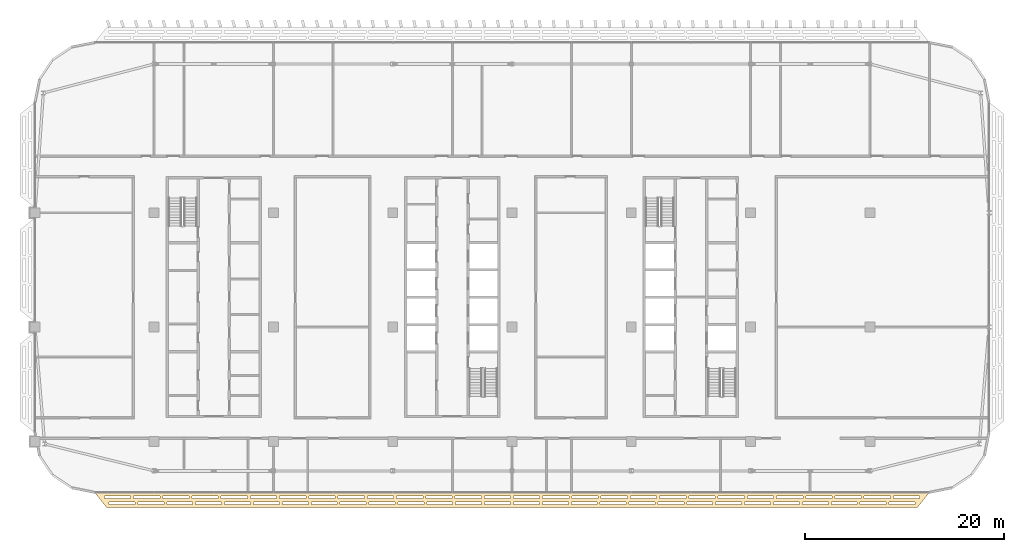
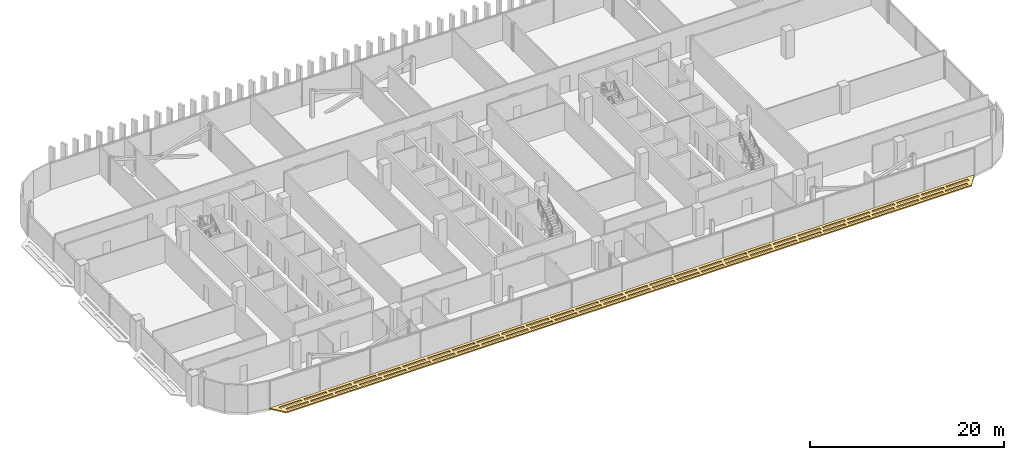
# One storey, part 28 of 32: 1 covering.
"""IFC4 building model written with IfcOpenShell, lengths in metres."""

import ifcopenshell
import ifcopenshell.guid

model = None  # the IFC model being written
_history = None  # IfcOwnerHistory: only IFC2X3 demands one
_inside = {}  # id of a spatial element -> (the spatial element, [elements in it])
_under = {}  # id of a project, library or spatial element -> (it, [spatial elements below it])
_declared = {}  # id of a project -> (the project, [libraries it declares])
_typed = {}  # id of a type object -> (the type object, [elements of that type])
_made_of = {}  # id of a material, layer set ... -> (it, [elements and type objects made of it])


def new_model(schema):
    """Start an empty IFC model of exactly this schema.

    Asked for "IFC4X3", IfcOpenShell would pick the latest addendum, in which some entities
    have other attributes; the version numbers below select the first issue.
    IFC2X3 requires an IfcOwnerHistory on every rooted entity: one is made here for all.
    """
    global model, _history
    if schema == "IFC4X3":
        model = ifcopenshell.file(schema_version=(4, 3, 0, 0))
    else:
        model = ifcopenshell.file(schema=schema)
    _inside.clear()
    _under.clear()
    _declared.clear()
    _typed.clear()
    _made_of.clear()
    _history = None
    if model.schema == "IFC2X3":
        org = make("IfcOrganization", Name="unknown")
        user = make(
            "IfcPersonAndOrganization",
            ThePerson=make("IfcPerson", FamilyName="unknown"),
            TheOrganization=org,
        )
        app = make(
            "IfcApplication",
            ApplicationDeveloper=org,
            Version="unknown",
            ApplicationFullName="unknown",
            ApplicationIdentifier="unknown",
        )
        _history = make(
            "IfcOwnerHistory",
            OwningUser=user,
            OwningApplication=app,
            ChangeAction="ADDED",
            CreationDate=0,
        )
    return model


def make(cls, **values):
    """One entity of the class cls with the attributes given. An attribute that is None is left unset."""
    return model.create_entity(
        cls, **{name: value for name, value in values.items() if value is not None}
    )


def rooted(cls, **values):
    """An entity with a GlobalId (a new one), such as an element, a storey or a relation."""
    return make(cls, GlobalId=ifcopenshell.guid.new(), OwnerHistory=_history, **values)


def si_unit(unit_type, name, prefix=None):
    """IfcSIUnit, for example si_unit("LENGTHUNIT", "METRE", prefix="MILLI")."""
    return make("IfcSIUnit", UnitType=unit_type, Prefix=prefix, Name=name)


def assignment(units):
    """IfcUnitAssignment: the units of a project."""
    return None if units is None else make("IfcUnitAssignment", Units=units)


def point(xyz):
    """IfcCartesianPoint."""
    return None if xyz is None else make("IfcCartesianPoint", Coordinates=xyz)


def direction(xyz):
    """IfcDirection."""
    return None if xyz is None else make("IfcDirection", DirectionRatios=xyz)


def frame(location, z_axis=None, x_axis=None):
    """IfcAxis2Placement3D, a coordinate frame: its origin and axes. An axis left out is left unset."""
    return make(
        "IfcAxis2Placement3D",
        Location=point(location),
        Axis=direction(z_axis),
        RefDirection=direction(x_axis),
    )


def origin():
    """The frame at (0, 0, 0) with its axes left unset."""
    return frame((0.0, 0.0, 0.0))


def place(relative_to, where):
    """IfcLocalPlacement: puts the frame where relative to a parent placement (None: the world)."""
    return make(
        "IfcLocalPlacement", PlacementRelTo=relative_to, RelativePlacement=where
    )


def context(
    kind, dimensions, precision=None, world=None, true_north=None, identifier=None
):
    """IfcGeometricRepresentationContext, for example the 3D "Model" context."""
    return make(
        "IfcGeometricRepresentationContext",
        ContextIdentifier=identifier,
        ContextType=kind,
        CoordinateSpaceDimension=dimensions,
        Precision=precision,
        WorldCoordinateSystem=world,
        TrueNorth=true_north,
    )


def subcontext(parent, identifier, kind, view, scale=None):
    """IfcGeometricRepresentationSubContext, for example "Body" below "Model"."""
    return make(
        "IfcGeometricRepresentationSubContext",
        ContextIdentifier=identifier,
        ContextType=kind,
        ParentContext=parent,
        TargetScale=scale,
        TargetView=view,
    )


def project(units=None, contexts=None):
    """IfcProject with its units and contexts."""
    return rooted(
        "IfcProject",
        Name="project",
        RepresentationContexts=contexts,
        UnitsInContext=assignment(units),
    )


def spatial(cls, under=None, at=None, **own):
    """A site, building, storey or space (cls), placed at a placement, below another one or the project."""
    s = rooted(cls, ObjectPlacement=at, **own)
    if under is not None:
        _under.setdefault(under.id(), (under, []))[1].append(s)
    return s


def polyline(points):
    """IfcPolyline through the points."""
    return make("IfcPolyline", Points=[point(p) for p in points])


def outline(outer, holes=None, kind="AREA"):
    """IfcArbitraryClosedProfileDef: a profile drawn as a closed curve; with holes, ...WithVoids."""
    if holes is None:
        return make("IfcArbitraryClosedProfileDef", ProfileType=kind, OuterCurve=outer)
    return make(
        "IfcArbitraryProfileDefWithVoids",
        ProfileType=kind,
        OuterCurve=outer,
        InnerCurves=holes,
    )


def extrude(swept, where, along, depth):
    """IfcExtrudedAreaSolid: the profile swept, set in the frame where, extruded along a direction by depth."""
    return make(
        "IfcExtrudedAreaSolid",
        SweptArea=swept,
        Position=where,
        ExtrudedDirection=direction(along),
        Depth=depth,
    )


def shape(context_of_items, identifier, shape_type, items):
    """IfcShapeRepresentation: the items that make up one representation, for example the "Body"."""
    return make(
        "IfcShapeRepresentation",
        ContextOfItems=context_of_items,
        RepresentationIdentifier=identifier,
        RepresentationType=shape_type,
        Items=items,
    )


def material(Name=None, Category=None):
    """IfcMaterial."""
    return make("IfcMaterial", Name=Name, Category=Category)


def layer(
    of_material, thickness, ventilated=None, Name=None, Category=None, Priority=None
):
    """IfcMaterialLayer: one layer of a wall or slab, of a material (None: an air gap)."""
    return make(
        "IfcMaterialLayer",
        Material=of_material,
        LayerThickness=thickness,
        IsVentilated=ventilated,
        Name=Name,
        Category=Category,
        Priority=Priority,
    )


def layer_set(layers, Name=None):
    """IfcMaterialLayerSet."""
    return make("IfcMaterialLayerSet", MaterialLayers=layers, LayerSetName=Name)


def made_of(thing, what):
    """Note that an element or type object is made of a material, layer set ...; save() writes the relation."""
    if what is not None:
        _made_of.setdefault(what.id(), (what, []))[1].append(thing)
    return thing


def type_object(cls, material=None, **own):
    """A type object (cls), such as IfcWallType, which elements share."""
    return made_of(rooted(cls, **own), material)


def element(
    cls,
    number,
    at=None,
    inside=None,
    cuts=None,
    type_object=None,
    material=None,
    context=None,
    identifier="Body",
    shape_type=None,
    held_by="IfcProductDefinitionShape",
    body=None,
    shapes=None,
    **own,
):
    """One element of the class cls, such as IfcWall. Its Tag is "e" and its number.

    at: its placement. inside: the storey or other place that contains it. cuts: it is an
    opening in that element (IfcRelVoidsElement). A single representation is given by context,
    identifier, shape_type and body (its items); several are given by shapes. held_by: the class
    of the entity that holds the representations. save() writes the other relations.
    """
    e = rooted(cls, Tag="e%d" % number, ObjectPlacement=at, **own)
    if body is not None:
        shapes = [shape(context, identifier, shape_type, body)]
    if shapes is not None:
        e.Representation = make(held_by, Representations=shapes)
    if inside is not None:
        _inside.setdefault(inside.id(), (inside, []))[1].append(e)
    if cuts is not None:
        rooted(
            "IfcRelVoidsElement", RelatingBuildingElement=cuts, RelatedOpeningElement=e
        )
    if type_object is not None:
        _typed.setdefault(type_object.id(), (type_object, []))[1].append(e)
    return made_of(e, material)


def aggregate(whole, parts):
    """IfcRelAggregates: a whole, such as a stair, and the parts it consists of."""
    return rooted("IfcRelAggregates", RelatingObject=whole, RelatedObjects=parts)


def save(model, path):
    """Write the relations noted so far, then the file.

    IfcRelAggregates (storeys below a building ...), IfcRelContainedInSpatialStructure (elements
    in a storey), IfcRelDefinesByType, IfcRelAssociatesMaterial and IfcRelDeclares: one each for
    every whole, place, type object, material and project.
    """
    for whole, parts in _under.values():
        aggregate(whole, parts)
    for where, things in _inside.values():
        rooted(
            "IfcRelContainedInSpatialStructure",
            RelatedElements=things,
            RelatingStructure=where,
        )
    for kind, things in _typed.values():
        rooted("IfcRelDefinesByType", RelatedObjects=things, RelatingType=kind)
    for what, things in _made_of.values():
        rooted("IfcRelAssociatesMaterial", RelatedObjects=things, RelatingMaterial=what)
    for by, libraries in _declared.values():
        rooted("IfcRelDeclares", RelatingContext=by, RelatedDefinitions=libraries)
    model.write(path)


model = new_model("IFC4")

# Units and contexts
model_context = context("Model", 3, precision=1e-05, world=origin(), true_north=direction((0.0, 1.0)))
body_context = subcontext(model_context, "Body", "Model", "MODEL_VIEW")
ifc_project = project(units=[si_unit("LENGTHUNIT", "METRE"), si_unit("AREAUNIT", "SQUARE_METRE"), si_unit("VOLUMEUNIT", "CUBIC_METRE"), si_unit("PLANEANGLEUNIT", "RADIAN"), si_unit("MASSUNIT", "GRAM", prefix="KILO")], contexts=[model_context])

# Site, building, storey
site_placement = place(None, origin())
site = spatial("IfcSite", under=ifc_project, at=site_placement, CompositionType="ELEMENT")
building_placement = place(site_placement, origin())
building = spatial("IfcBuilding", under=site, at=building_placement, Name="Mahtab Terrace Research Tower", CompositionType="ELEMENT")
storey_placement = place(building_placement, frame((0.0, 0.0, 232.39990234375)))
storey = spatial("IfcBuildingStorey", under=building, at=storey_placement, Name="L56", CompositionType="ELEMENT", Elevation=232.39990234375)

# Covering
ifc_material = material(Name="Black anodised aluminium", Category="aluminium")
ifc_layer = layer(ifc_material, 0.14990234375)
ifc_layer_set = layer_set([ifc_layer], Name="Horizontal sunshade band")
covering_type = type_object("IfcCoveringType", Name="Horizontal sunshade band", PredefinedType="CLADDING", material=ifc_layer_set)
covering_placement = place(storey_placement, frame((0.0, 0.0, -0.14990234375)))
element("IfcCovering", 1, at=covering_placement, inside=storey, type_object=covering_type, Name="Sunshade band L56 16", PredefinedType="CLADDING", context=body_context, shape_type="SweptSolid", body=[
    extrude(outline(polyline([(-36.0, -16.638916015625), (48.0, -16.638916015625), (46.800048828125, -18.138916015625), (-34.800048828125, -18.138916015625), (-36.0, -16.638916015625)]), holes=[polyline([(-35.02001953125, -16.989013671875), (-32.37890625, -16.989013671875), (-32.37890625, -17.239013671875), (-35.02001953125, -17.239013671875), (-35.02001953125, -16.989013671875)]), polyline([(-32.0791015625, -16.989013671875), (-29.43896484375, -16.989013671875), (-29.43896484375, -17.239013671875), (-32.0791015625, -17.239013671875), (-32.0791015625, -16.989013671875)]), polyline([(-29.138916015625, -16.989013671875), (-26.498046875, -16.989013671875), (-26.498046875, -17.239013671875), (-29.138916015625, -17.239013671875), (-29.138916015625, -16.989013671875)]), polyline([(-26.197998046875, -16.989013671875), (-23.556884765625, -16.989013671875), (-23.556884765625, -17.239013671875), (-26.197998046875, -17.239013671875), (-26.197998046875, -16.989013671875)]), polyline([(-23.257080078125, -16.989013671875), (-20.615966796875, -16.989013671875), (-20.615966796875, -17.239013671875), (-23.257080078125, -17.239013671875), (-23.257080078125, -16.989013671875)]), polyline([(-20.31591796875, -16.989013671875), (-17.676025390625, -16.989013671875), (-17.676025390625, -17.239013671875), (-20.31591796875, -17.239013671875), (-20.31591796875, -16.989013671875)]), polyline([(-17.3759765625, -16.989013671875), (-14.735107421875, -16.989013671875), (-14.735107421875, -17.239013671875), (-17.3759765625, -17.239013671875), (-17.3759765625, -16.989013671875)]), polyline([(-14.43505859375, -16.989013671875), (-11.7939453125, -16.989013671875), (-11.7939453125, -17.239013671875), (-14.43505859375, -17.239013671875), (-14.43505859375, -16.989013671875)]), polyline([(-11.493896484375, -16.989013671875), (-8.85400390625, -16.989013671875), (-8.85400390625, -17.239013671875), (-11.493896484375, -17.239013671875), (-11.493896484375, -16.989013671875)]), polyline([(-8.553955078125, -16.989013671875), (-5.9130859375, -16.989013671875), (-5.9130859375, -17.239013671875), (-8.553955078125, -17.239013671875), (-8.553955078125, -16.989013671875)]), polyline([(-5.613037109375, -16.989013671875), (-2.971923828125, -16.989013671875), (-2.971923828125, -17.239013671875), (-5.613037109375, -17.239013671875), (-5.613037109375, -16.989013671875)]), polyline([(-2.672119140625, -16.989013671875), (-0.031005859375, -16.989013671875), (-0.031005859375, -17.239013671875), (-2.672119140625, -17.239013671875), (-2.672119140625, -16.989013671875)]), polyline([(0.26904296875, -16.989013671875), (2.908935546875, -16.989013671875), (2.908935546875, -17.239013671875), (0.26904296875, -17.239013671875), (0.26904296875, -16.989013671875)]), polyline([(3.208984375, -16.989013671875), (5.85009765625, -16.989013671875), (5.85009765625, -17.239013671875), (3.208984375, -17.239013671875), (3.208984375, -16.989013671875)]), polyline([(6.14990234375, -16.989013671875), (8.791015625, -16.989013671875), (8.791015625, -17.239013671875), (6.14990234375, -17.239013671875), (6.14990234375, -16.989013671875)]), polyline([(9.091064453125, -16.989013671875), (11.73095703125, -16.989013671875), (11.73095703125, -17.239013671875), (9.091064453125, -17.239013671875), (9.091064453125, -16.989013671875)]), polyline([(12.031005859375, -16.989013671875), (14.672119140625, -16.989013671875), (14.672119140625, -17.239013671875), (12.031005859375, -17.239013671875), (12.031005859375, -16.989013671875)]), polyline([(14.971923828125, -16.989013671875), (17.613037109375, -16.989013671875), (17.613037109375, -17.239013671875), (14.971923828125, -17.239013671875), (14.971923828125, -16.989013671875)]), polyline([(17.9130859375, -16.989013671875), (20.553955078125, -16.989013671875), (20.553955078125, -17.239013671875), (17.9130859375, -17.239013671875), (17.9130859375, -16.989013671875)]), polyline([(20.85400390625, -16.989013671875), (23.493896484375, -16.989013671875), (23.493896484375, -17.239013671875), (20.85400390625, -17.239013671875), (20.85400390625, -16.989013671875)]), polyline([(23.7939453125, -16.989013671875), (26.43505859375, -16.989013671875), (26.43505859375, -17.239013671875), (23.7939453125, -17.239013671875), (23.7939453125, -16.989013671875)]), polyline([(26.735107421875, -16.989013671875), (29.3759765625, -16.989013671875), (29.3759765625, -17.239013671875), (26.735107421875, -17.239013671875), (26.735107421875, -16.989013671875)]), polyline([(29.676025390625, -16.989013671875), (32.31591796875, -16.989013671875), (32.31591796875, -17.239013671875), (29.676025390625, -17.239013671875), (29.676025390625, -16.989013671875)]), polyline([(32.615966796875, -16.989013671875), (35.257080078125, -16.989013671875), (35.257080078125, -17.239013671875), (32.615966796875, -17.239013671875), (32.615966796875, -16.989013671875)]), polyline([(35.556884765625, -16.989013671875), (38.197998046875, -16.989013671875), (38.197998046875, -17.239013671875), (35.556884765625, -17.239013671875), (35.556884765625, -16.989013671875)]), polyline([(38.498046875, -16.989013671875), (41.138916015625, -16.989013671875), (41.138916015625, -17.239013671875), (38.498046875, -17.239013671875), (38.498046875, -16.989013671875)]), polyline([(41.43896484375, -16.989013671875), (44.0791015625, -16.989013671875), (44.0791015625, -17.239013671875), (41.43896484375, -17.239013671875), (41.43896484375, -16.989013671875)]), polyline([(44.37890625, -16.989013671875), (47.02001953125, -16.989013671875), (47.02001953125, -17.239013671875), (44.37890625, -17.239013671875), (44.37890625, -16.989013671875)]), polyline([(-34.5400390625, -17.589111328125), (-31.93408203125, -17.589111328125), (-31.93408203125, -17.839111328125), (-34.5400390625, -17.839111328125), (-34.5400390625, -17.589111328125)]), polyline([(-31.634033203125, -17.589111328125), (-29.027099609375, -17.589111328125), (-29.027099609375, -17.839111328125), (-31.634033203125, -17.839111328125), (-31.634033203125, -17.589111328125)]), polyline([(-28.72705078125, -17.589111328125), (-26.12109375, -17.589111328125), (-26.12109375, -17.839111328125), (-28.72705078125, -17.839111328125), (-28.72705078125, -17.589111328125)]), polyline([(-25.821044921875, -17.589111328125), (-23.214111328125, -17.589111328125), (-23.214111328125, -17.839111328125), (-25.821044921875, -17.839111328125), (-25.821044921875, -17.589111328125)]), polyline([(-22.9140625, -17.589111328125), (-20.30810546875, -17.589111328125), (-20.30810546875, -17.839111328125), (-22.9140625, -17.839111328125), (-22.9140625, -17.589111328125)]), polyline([(-20.008056640625, -17.589111328125), (-17.40087890625, -17.589111328125), (-17.40087890625, -17.839111328125), (-20.008056640625, -17.839111328125), (-20.008056640625, -17.589111328125)]), polyline([(-17.10107421875, -17.589111328125), (-14.4951171875, -17.589111328125), (-14.4951171875, -17.839111328125), (-17.10107421875, -17.839111328125), (-17.10107421875, -17.589111328125)]), polyline([(-14.195068359375, -17.589111328125), (-11.589111328125, -17.589111328125), (-11.589111328125, -17.839111328125), (-14.195068359375, -17.839111328125), (-14.195068359375, -17.589111328125)]), polyline([(-11.2890625, -17.589111328125), (-8.681884765625, -17.589111328125), (-8.681884765625, -17.839111328125), (-11.2890625, -17.839111328125), (-11.2890625, -17.589111328125)]), polyline([(-8.382080078125, -17.589111328125), (-5.77587890625, -17.589111328125), (-5.77587890625, -17.839111328125), (-8.382080078125, -17.839111328125), (-8.382080078125, -17.589111328125)]), polyline([(-5.47607421875, -17.589111328125), (-2.868896484375, -17.589111328125), (-2.868896484375, -17.839111328125), (-5.47607421875, -17.839111328125), (-5.47607421875, -17.589111328125)]), polyline([(-2.569091796875, -17.589111328125), (0.037109375, -17.589111328125), (0.037109375, -17.839111328125), (-2.569091796875, -17.839111328125), (-2.569091796875, -17.589111328125)]), polyline([(0.3369140625, -17.589111328125), (2.944091796875, -17.589111328125), (2.944091796875, -17.839111328125), (0.3369140625, -17.839111328125), (0.3369140625, -17.589111328125)]), polyline([(3.243896484375, -17.589111328125), (5.85009765625, -17.589111328125), (5.85009765625, -17.839111328125), (3.243896484375, -17.839111328125), (3.243896484375, -17.589111328125)]), polyline([(6.14990234375, -17.589111328125), (8.756103515625, -17.589111328125), (8.756103515625, -17.839111328125), (6.14990234375, -17.839111328125), (6.14990234375, -17.589111328125)]), polyline([(9.055908203125, -17.589111328125), (11.6630859375, -17.589111328125), (11.6630859375, -17.839111328125), (9.055908203125, -17.839111328125), (9.055908203125, -17.589111328125)]), polyline([(11.962890625, -17.589111328125), (14.569091796875, -17.589111328125), (14.569091796875, -17.839111328125), (11.962890625, -17.839111328125), (11.962890625, -17.589111328125)]), polyline([(14.868896484375, -17.589111328125), (17.47607421875, -17.589111328125), (17.47607421875, -17.839111328125), (14.868896484375, -17.839111328125), (14.868896484375, -17.589111328125)]), polyline([(17.77587890625, -17.589111328125), (20.382080078125, -17.589111328125), (20.382080078125, -17.839111328125), (17.77587890625, -17.839111328125), (17.77587890625, -17.589111328125)]), polyline([(20.681884765625, -17.589111328125), (23.2890625, -17.589111328125), (23.2890625, -17.839111328125), (20.681884765625, -17.839111328125), (20.681884765625, -17.589111328125)]), polyline([(23.589111328125, -17.589111328125), (26.195068359375, -17.589111328125), (26.195068359375, -17.839111328125), (23.589111328125, -17.839111328125), (23.589111328125, -17.589111328125)]), polyline([(26.4951171875, -17.589111328125), (29.10107421875, -17.589111328125), (29.10107421875, -17.839111328125), (26.4951171875, -17.839111328125), (26.4951171875, -17.589111328125)]), polyline([(29.40087890625, -17.589111328125), (32.008056640625, -17.589111328125), (32.008056640625, -17.839111328125), (29.40087890625, -17.839111328125), (29.40087890625, -17.589111328125)]), polyline([(32.30810546875, -17.589111328125), (34.9140625, -17.589111328125), (34.9140625, -17.839111328125), (32.30810546875, -17.839111328125), (32.30810546875, -17.589111328125)]), polyline([(35.214111328125, -17.589111328125), (37.821044921875, -17.589111328125), (37.821044921875, -17.839111328125), (35.214111328125, -17.839111328125), (35.214111328125, -17.589111328125)]), polyline([(38.12109375, -17.589111328125), (40.72705078125, -17.589111328125), (40.72705078125, -17.839111328125), (38.12109375, -17.839111328125), (38.12109375, -17.589111328125)]), polyline([(41.027099609375, -17.589111328125), (43.634033203125, -17.589111328125), (43.634033203125, -17.839111328125), (41.027099609375, -17.839111328125), (41.027099609375, -17.589111328125)]), polyline([(43.93408203125, -17.589111328125), (46.5400390625, -17.589111328125), (46.5400390625, -17.839111328125), (43.93408203125, -17.839111328125), (43.93408203125, -17.589111328125)])]), origin(), (0.0, 0.0, 1.0), 0.14990234375),
])

save(model, "model.ifc")
